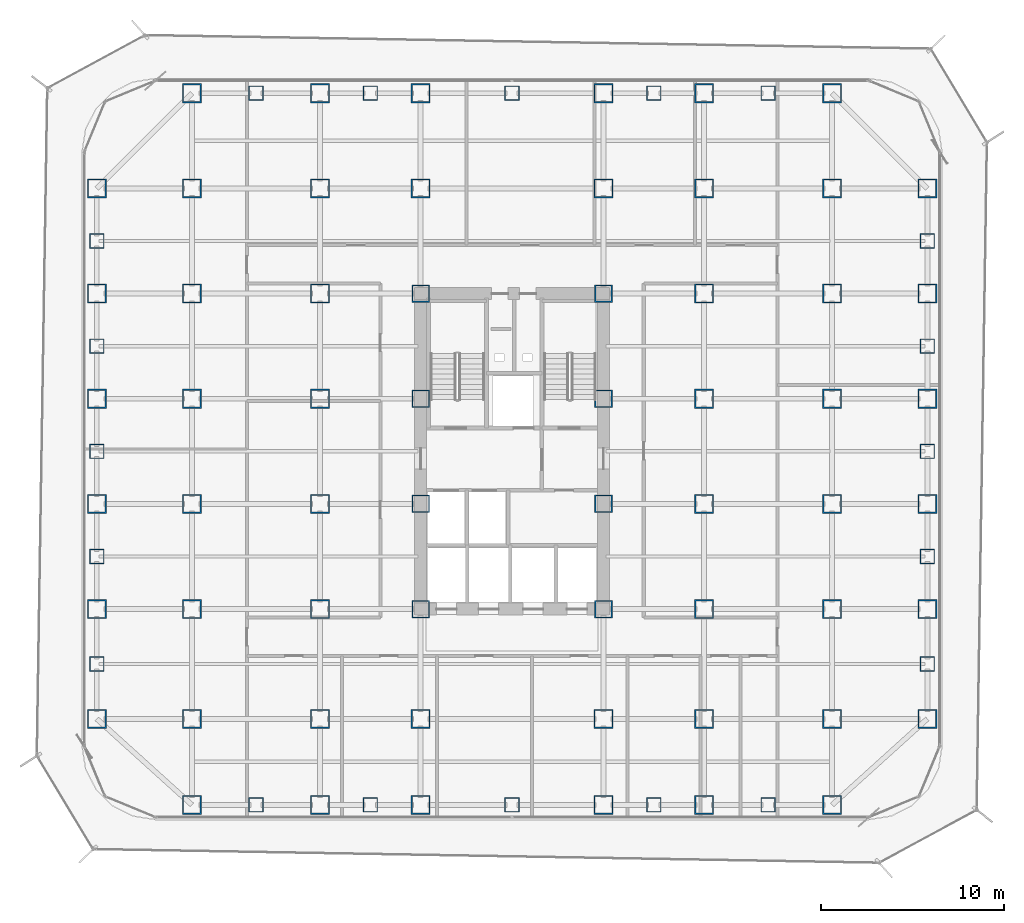
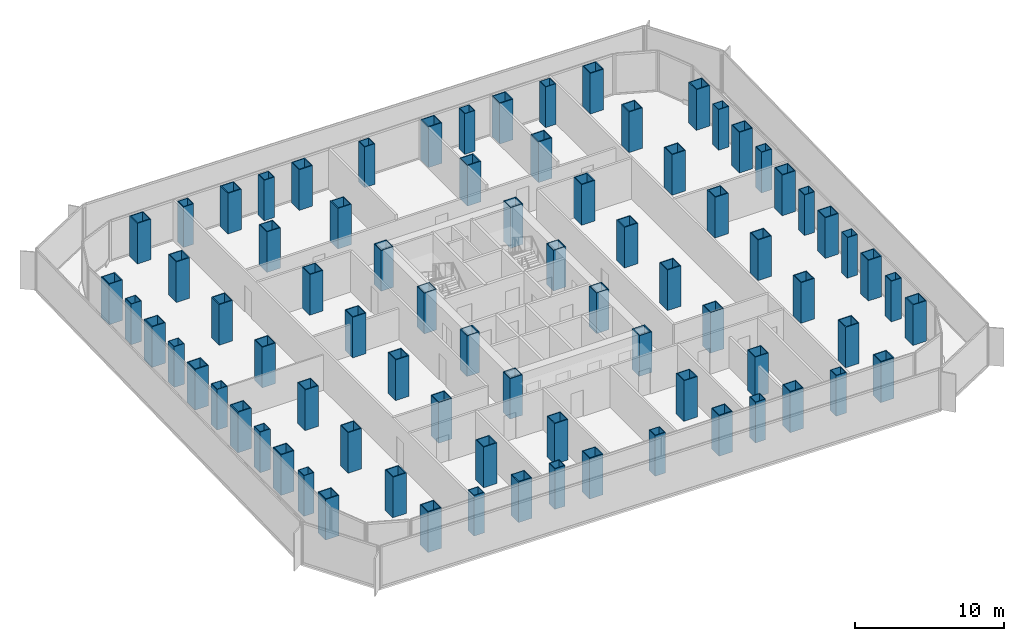
# One storey, part 1 of 22: 80 columns.
"""IFC4 building model written with IfcOpenShell, lengths in metres."""

from ifc_helpers import new_model, si_unit, direction, frame, origin, origin_2d, place, context, subcontext, project, spatial, hollow_rectangle, extrude, source, transform, mapped, material, material_profile, profile_set, type_object, element, save


model = new_model("IFC4")

# Units and contexts
model_context = context("Model", 3, precision=1e-05, world=origin(), true_north=direction((0.0, 1.0)))
body_context = subcontext(model_context, "Body", "Model", "MODEL_VIEW")
ifc_project = project(units=[si_unit("LENGTHUNIT", "METRE"), si_unit("AREAUNIT", "SQUARE_METRE"), si_unit("VOLUMEUNIT", "CUBIC_METRE"), si_unit("PLANEANGLEUNIT", "RADIAN"), si_unit("MASSUNIT", "GRAM", prefix="KILO")], contexts=[model_context])

# Site, building, storey
site_placement = place(None, origin())
site = spatial("IfcSite", under=ifc_project, at=site_placement, CompositionType="ELEMENT")
building_placement = place(site_placement, origin())
building = spatial("IfcBuilding", under=site, at=building_placement, Name="Kolveth Station Tower", CompositionType="ELEMENT")
storey_placement = place(building_placement, frame((0.0, 0.0, 54.89990234375)))
storey = spatial("IfcBuildingStorey", under=building, at=storey_placement, Name="L14", CompositionType="ELEMENT", Elevation=54.89990234375)

# Columns
ifc_material_1 = material(Name="Steel S460", Category="steel")
ifc_material_profile_1 = material_profile(ifc_material_1, hollow_rectangle(XDim=1.0400390625, YDim=1.0400390625, WallThickness=0.06494140625, at=origin_2d()), Name="BOX1040x1040x65")
ifc_profile_set_1 = profile_set([ifc_material_profile_1], Name="Steel S460")
column_type_1 = type_object("IfcColumnType", Name="Col_C2", PredefinedType="COLUMN", material=ifc_profile_set_1)
shared_shape_1 = source(origin(), body_context, "Body", "SweptSolid", [
    extrude(hollow_rectangle(XDim=1.0400390625, YDim=1.0400390625, WallThickness=0.06494140625, at=origin_2d()), origin(), (0.0, 0.0, 1.0), 3.320068359375),
])
for number, where, z_axis, x_axis, name in (
    (1, (6.0, 0.800048828125, 0.0), (0.0, 0.0, 1.0), (1.0, 0.0, 0.0), "L14 Tower Column S-X60"),
    (2, (6.0, 39.699951171875, 0.0), (0.0, 0.0, 1.0), (1.0, 0.0, 0.0), "L14 Tower Column N-X60"),
    (3, (13.0, 0.800048828125, 0.0), (0.0, 0.0, 1.0), (1.0, 0.0, 0.0), "L14 Tower Column S-X130"),
    (4, (13.0, 39.699951171875, 0.0), (0.0, 0.0, 1.0), (1.0, 0.0, 0.0), "L14 Tower Column N-X130"),
    (5, (18.5, 0.800048828125, 0.0), (0.0, 0.0, 1.0), (1.0, 0.0, 0.0), "L14 Tower Column S-X185"),
    (6, (18.5, 39.699951171875, 0.0), (0.0, 0.0, 1.0), (1.0, 0.0, 0.0), "L14 Tower Column N-X185"),
    (7, (28.5, 0.800048828125, 0.0), (0.0, 0.0, 1.0), (1.0, 0.0, 0.0), "L14 Tower Column S-X285"),
    (8, (28.5, 39.699951171875, 0.0), (0.0, 0.0, 1.0), (1.0, 0.0, 0.0), "L14 Tower Column N-X285"),
    (9, (34.0, 0.800048828125, 0.0), (0.0, 0.0, 1.0), (1.0, 0.0, 0.0), "L14 Tower Column S-X340"),
    (10, (34.0, 39.699951171875, 0.0), (0.0, 0.0, 1.0), (1.0, 0.0, 0.0), "L14 Tower Column N-X340"),
    (11, (41.0, 0.800048828125, 0.0), (0.0, 0.0, 1.0), (1.0, 0.0, 0.0), "L14 Tower Column S-X410"),
    (12, (41.0, 39.699951171875, 0.0), (0.0, 0.0, 1.0), (1.0, 0.0, 0.0), "L14 Tower Column N-X410"),
    (13, (0.800048828125, 5.5, 0.0), (0.0, 0.0, 1.0), (1.0, 0.0, 0.0), "L14 Tower Column W-Y55"),
    (14, (46.199951171875, 5.5, 0.0), (0.0, 0.0, 1.0), (1.0, 0.0, 0.0), "L14 Tower Column E-Y55"),
    (15, (0.800048828125, 11.5, 0.0), (0.0, 0.0, 1.0), (1.0, 0.0, 0.0), "L14 Tower Column W-Y115"),
    (16, (46.199951171875, 11.5, 0.0), (0.0, 0.0, 1.0), (1.0, 0.0, 0.0), "L14 Tower Column E-Y115"),
    (17, (0.800048828125, 17.25, 0.0), (0.0, 0.0, 1.0), (1.0, 0.0, 0.0), "L14 Tower Column W-Y172"),
    (18, (46.199951171875, 17.25, 0.0), (0.0, 0.0, 1.0), (1.0, 0.0, 0.0), "L14 Tower Column E-Y172"),
    (19, (0.800048828125, 23.0, 0.0), (0.0, 0.0, 1.0), (1.0, 0.0, 0.0), "L14 Tower Column W-Y230"),
    (20, (46.199951171875, 23.0, 0.0), (0.0, 0.0, 1.0), (1.0, 0.0, 0.0), "L14 Tower Column E-Y230"),
    (21, (0.800048828125, 28.75, 0.0), (0.0, 0.0, 1.0), (1.0, 0.0, 0.0), "L14 Tower Column W-Y287"),
    (22, (46.199951171875, 28.75, 0.0), (0.0, 0.0, 1.0), (1.0, 0.0, 0.0), "L14 Tower Column E-Y287"),
    (23, (0.800048828125, 34.5, 0.0), (0.0, 0.0, 1.0), (1.0, 0.0, 0.0), "L14 Tower Column W-Y345"),
    (24, (46.199951171875, 34.5, 0.0), (0.0, 0.0, 1.0), (1.0, 0.0, 0.0), "L14 Tower Column E-Y345"),
    (25, (6.0, 5.5, 0.0), (0.0, 0.0, 1.0), (1.0, 0.0, 0.0), "L14 Tower Column G-60-55"),
    (26, (6.0, 11.5, 0.0), (0.0, 0.0, 1.0), (1.0, 0.0, 0.0), "L14 Tower Column G-60-115"),
    (27, (6.0, 17.25, 0.0), (0.0, 0.0, 1.0), (1.0, 0.0, 0.0), "L14 Tower Column G-60-172"),
    (28, (6.0, 23.0, 0.0), (0.0, 0.0, 1.0), (1.0, 0.0, 0.0), "L14 Tower Column G-60-230"),
    (29, (6.0, 28.75, 0.0), (0.0, 0.0, 1.0), (1.0, 0.0, 0.0), "L14 Tower Column G-60-287"),
    (30, (6.0, 34.5, 0.0), (0.0, 0.0, 1.0), (1.0, 0.0, 0.0), "L14 Tower Column G-60-345"),
    (31, (13.0, 5.5, 0.0), (0.0, 0.0, 1.0), (1.0, 0.0, 0.0), "L14 Tower Column G-130-55"),
    (32, (13.0, 11.5, 0.0), (0.0, 0.0, 1.0), (1.0, 0.0, 0.0), "L14 Tower Column G-130-115"),
    (33, (13.0, 17.25, 0.0), (0.0, 0.0, 1.0), (1.0, 0.0, 0.0), "L14 Tower Column G-130-172"),
    (34, (13.0, 23.0, 0.0), (0.0, 0.0, 1.0), (1.0, 0.0, 0.0), "L14 Tower Column G-130-230"),
    (35, (13.0, 28.75, 0.0), (0.0, 0.0, 1.0), (1.0, 0.0, 0.0), "L14 Tower Column G-130-287"),
    (36, (13.0, 34.5, 0.0), (0.0, 0.0, 1.0), (1.0, 0.0, 0.0), "L14 Tower Column G-130-345"),
    (37, (18.5, 5.5, 0.0), (0.0, 0.0, 1.0), (1.0, 0.0, 0.0), "L14 Tower Column G-185-55"),
    (38, (18.5, 34.5, 0.0), (0.0, 0.0, 1.0), (1.0, 0.0, 0.0), "L14 Tower Column G-185-345"),
    (39, (28.5, 5.5, 0.0), (0.0, 0.0, 1.0), (1.0, 0.0, 0.0), "L14 Tower Column G-285-55"),
    (40, (28.5, 34.5, 0.0), (0.0, 0.0, 1.0), (1.0, 0.0, 0.0), "L14 Tower Column G-285-345"),
    (41, (34.0, 5.5, 0.0), (0.0, 0.0, 1.0), (1.0, 0.0, 0.0), "L14 Tower Column G-340-55"),
    (42, (34.0, 11.5, 0.0), (0.0, 0.0, 1.0), (1.0, 0.0, 0.0), "L14 Tower Column G-340-115"),
    (43, (34.0, 17.25, 0.0), (0.0, 0.0, 1.0), (1.0, 0.0, 0.0), "L14 Tower Column G-340-172"),
    (44, (34.0, 23.0, 0.0), (0.0, 0.0, 1.0), (1.0, 0.0, 0.0), "L14 Tower Column G-340-230"),
    (45, (34.0, 28.75, 0.0), (0.0, 0.0, 1.0), (1.0, 0.0, 0.0), "L14 Tower Column G-340-287"),
    (46, (34.0, 34.5, 0.0), (0.0, 0.0, 1.0), (1.0, 0.0, 0.0), "L14 Tower Column G-340-345"),
    (47, (41.0, 5.5, 0.0), (0.0, 0.0, 1.0), (1.0, 0.0, 0.0), "L14 Tower Column G-410-55"),
    (48, (41.0, 11.5, 0.0), (0.0, 0.0, 1.0), (1.0, 0.0, 0.0), "L14 Tower Column G-410-115"),
    (49, (41.0, 17.25, 0.0), (0.0, 0.0, 1.0), (1.0, 0.0, 0.0), "L14 Tower Column G-410-172"),
    (50, (41.0, 23.0, 0.0), (0.0, 0.0, 1.0), (1.0, 0.0, 0.0), "L14 Tower Column G-410-230"),
    (51, (41.0, 28.75, 0.0), (0.0, 0.0, 1.0), (1.0, 0.0, 0.0), "L14 Tower Column G-410-287"),
    (52, (41.0, 34.5, 0.0), (0.0, 0.0, 1.0), (1.0, 0.0, 0.0), "L14 Tower Column G-410-345"),
):
    element("IfcColumn", number, at=place(storey_placement, frame(where, z_axis=z_axis, x_axis=x_axis)), inside=storey, type_object=column_type_1, Name=name, PredefinedType="COLUMN", context=body_context, shape_type="MappedRepresentation", body=[
        mapped(shared_shape_1, transform((0.0, 0.0, 0.0), x_axis=(1.0, 0.0, 0.0), y_axis=(0.0, 1.0, 0.0), z_axis=(0.0, 0.0, 1.0), scale=1.0)),
    ])
ifc_material_profile_2 = material_profile(ifc_material_1, hollow_rectangle(XDim=0.9599609375, YDim=0.9599609375, WallThickness=0.06005859375, at=origin_2d()), Name="BOX960x960x60")
ifc_profile_set_2 = profile_set([ifc_material_profile_2], Name="Steel S460")
column_type_2 = type_object("IfcColumnType", Name="Col_C3", PredefinedType="COLUMN", material=ifc_profile_set_2)
shared_shape_2 = source(origin(), body_context, "Body", "SweptSolid", [
    extrude(hollow_rectangle(XDim=0.9599609375, YDim=0.9599609375, WallThickness=0.06005859375, at=origin_2d()), origin(), (0.0, 0.0, 1.0), 3.320068359375),
])
for number, where, z_axis, x_axis, name in (
    (53, (18.5, 11.5, 0.0), (0.0, 0.0, 1.0), (1.0, 0.0, 0.0), "L14 Tower Column G-185-115"),
    (54, (18.5, 17.25, 0.0), (0.0, 0.0, 1.0), (1.0, 0.0, 0.0), "L14 Tower Column G-185-172"),
    (55, (18.5, 23.0, 0.0), (0.0, 0.0, 1.0), (1.0, 0.0, 0.0), "L14 Tower Column G-185-230"),
    (56, (18.5, 28.75, 0.0), (0.0, 0.0, 1.0), (1.0, 0.0, 0.0), "L14 Tower Column G-185-287"),
    (57, (28.5, 11.5, 0.0), (0.0, 0.0, 1.0), (1.0, 0.0, 0.0), "L14 Tower Column G-285-115"),
    (58, (28.5, 17.25, 0.0), (0.0, 0.0, 1.0), (1.0, 0.0, 0.0), "L14 Tower Column G-285-172"),
    (59, (28.5, 23.0, 0.0), (0.0, 0.0, 1.0), (1.0, 0.0, 0.0), "L14 Tower Column G-285-230"),
    (60, (28.5, 28.75, 0.0), (0.0, 0.0, 1.0), (1.0, 0.0, 0.0), "L14 Tower Column G-285-287"),
):
    element("IfcColumn", number, at=place(storey_placement, frame(where, z_axis=z_axis, x_axis=x_axis)), inside=storey, type_object=column_type_2, Name=name, PredefinedType="COLUMN", context=body_context, shape_type="MappedRepresentation", body=[
        mapped(shared_shape_2, transform((0.0, 0.0, 0.0), x_axis=(1.0, 0.0, 0.0), y_axis=(0.0, 1.0, 0.0), z_axis=(0.0, 0.0, 1.0), scale=1.0)),
    ])
ifc_material_2 = material(Name="Steel S355", Category="steel")
ifc_material_profile_3 = material_profile(ifc_material_2, hollow_rectangle(XDim=0.800048828125, YDim=0.800048828125, WallThickness=0.044921875, at=origin_2d()), Name="BOX800x800x45")
ifc_profile_set_3 = profile_set([ifc_material_profile_3], Name="Steel S355")
column_type_3 = type_object("IfcColumnType", Name="Col_C5", PredefinedType="COLUMN", material=ifc_profile_set_3)
shared_shape_3 = source(origin(), body_context, "Body", "SweptSolid", [
    extrude(hollow_rectangle(XDim=0.800048828125, YDim=0.800048828125, WallThickness=0.044921875, at=origin_2d()), origin(), (0.0, 0.0, 1.0), 3.320068359375),
])
for number, where, z_axis, x_axis, name in (
    (61, (9.5, 0.800048828125, 0.0), (0.0, 0.0, 1.0), (1.0, 0.0, 0.0), "L14 Tower Column MS-X95"),
    (62, (9.5, 39.699951171875, 0.0), (0.0, 0.0, 1.0), (1.0, 0.0, 0.0), "L14 Tower Column MN-X95"),
    (63, (15.75, 0.800048828125, 0.0), (0.0, 0.0, 1.0), (1.0, 0.0, 0.0), "L14 Tower Column MS-X157"),
    (64, (15.75, 39.699951171875, 0.0), (0.0, 0.0, 1.0), (1.0, 0.0, 0.0), "L14 Tower Column MN-X157"),
    (65, (23.5, 0.800048828125, 0.0), (0.0, 0.0, 1.0), (1.0, 0.0, 0.0), "L14 Tower Column MS-X235"),
    (66, (23.5, 39.699951171875, 0.0), (0.0, 0.0, 1.0), (1.0, 0.0, 0.0), "L14 Tower Column MN-X235"),
    (67, (31.25, 0.800048828125, 0.0), (0.0, 0.0, 1.0), (1.0, 0.0, 0.0), "L14 Tower Column MS-X312"),
    (68, (31.25, 39.699951171875, 0.0), (0.0, 0.0, 1.0), (1.0, 0.0, 0.0), "L14 Tower Column MN-X312"),
    (69, (37.5, 0.800048828125, 0.0), (0.0, 0.0, 1.0), (1.0, 0.0, 0.0), "L14 Tower Column MS-X375"),
    (70, (37.5, 39.699951171875, 0.0), (0.0, 0.0, 1.0), (1.0, 0.0, 0.0), "L14 Tower Column MN-X375"),
    (71, (0.800048828125, 8.5, 0.0), (0.0, 0.0, 1.0), (1.0, 0.0, 0.0), "L14 Tower Column MW-Y85"),
    (72, (46.199951171875, 8.5, 0.0), (0.0, 0.0, 1.0), (1.0, 0.0, 0.0), "L14 Tower Column ME-Y85"),
    (73, (0.800048828125, 14.375, 0.0), (0.0, 0.0, 1.0), (1.0, 0.0, 0.0), "L14 Tower Column MW-Y143"),
    (74, (46.199951171875, 14.375, 0.0), (0.0, 0.0, 1.0), (1.0, 0.0, 0.0), "L14 Tower Column ME-Y143"),
    (75, (0.800048828125, 20.125, 0.0), (0.0, 0.0, 1.0), (1.0, 0.0, 0.0), "L14 Tower Column MW-Y201"),
    (76, (46.199951171875, 20.125, 0.0), (0.0, 0.0, 1.0), (1.0, 0.0, 0.0), "L14 Tower Column ME-Y201"),
    (77, (0.800048828125, 25.875, 0.0), (0.0, 0.0, 1.0), (1.0, 0.0, 0.0), "L14 Tower Column MW-Y258"),
    (78, (46.199951171875, 25.875, 0.0), (0.0, 0.0, 1.0), (1.0, 0.0, 0.0), "L14 Tower Column ME-Y258"),
    (79, (0.800048828125, 31.625, 0.0), (0.0, 0.0, 1.0), (1.0, 0.0, 0.0), "L14 Tower Column MW-Y316"),
    (80, (46.199951171875, 31.625, 0.0), (0.0, 0.0, 1.0), (1.0, 0.0, 0.0), "L14 Tower Column ME-Y316"),
):
    element("IfcColumn", number, at=place(storey_placement, frame(where, z_axis=z_axis, x_axis=x_axis)), inside=storey, type_object=column_type_3, Name=name, PredefinedType="COLUMN", context=body_context, shape_type="MappedRepresentation", body=[
        mapped(shared_shape_3, transform((0.0, 0.0, 0.0), x_axis=(1.0, 0.0, 0.0), y_axis=(0.0, 1.0, 0.0), z_axis=(0.0, 0.0, 1.0), scale=1.0)),
    ])

save(model, "model.ifc")
